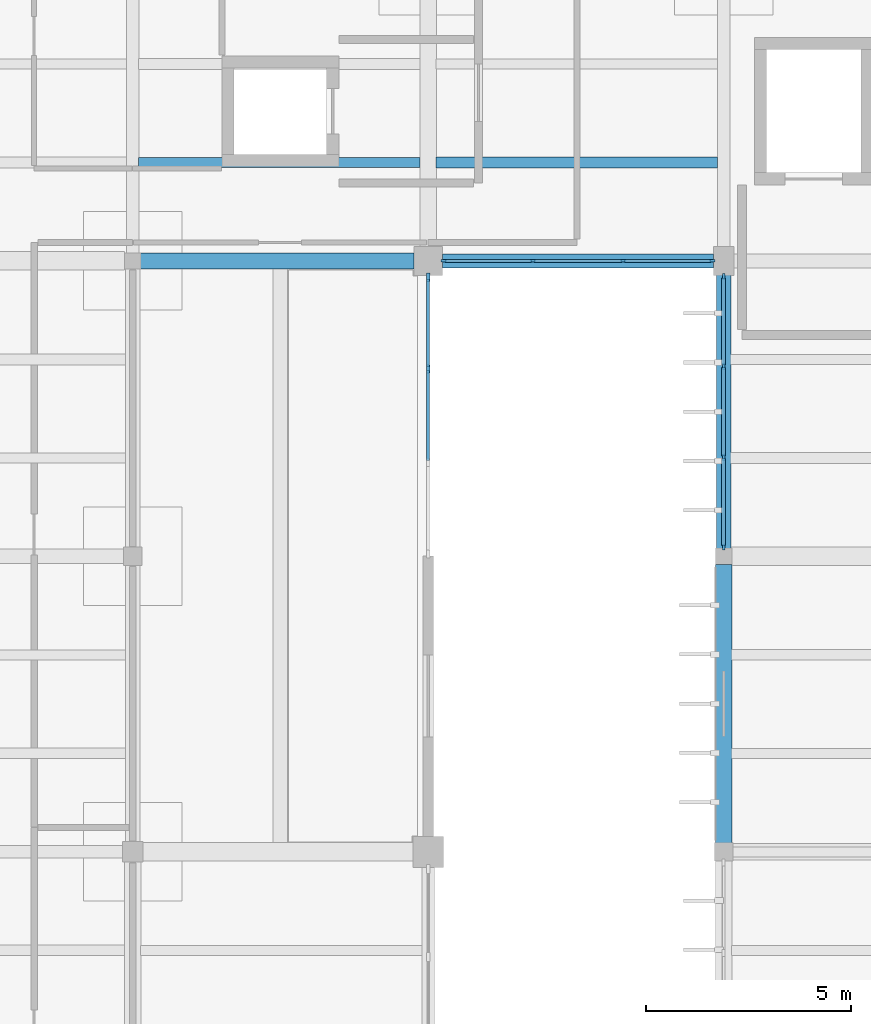
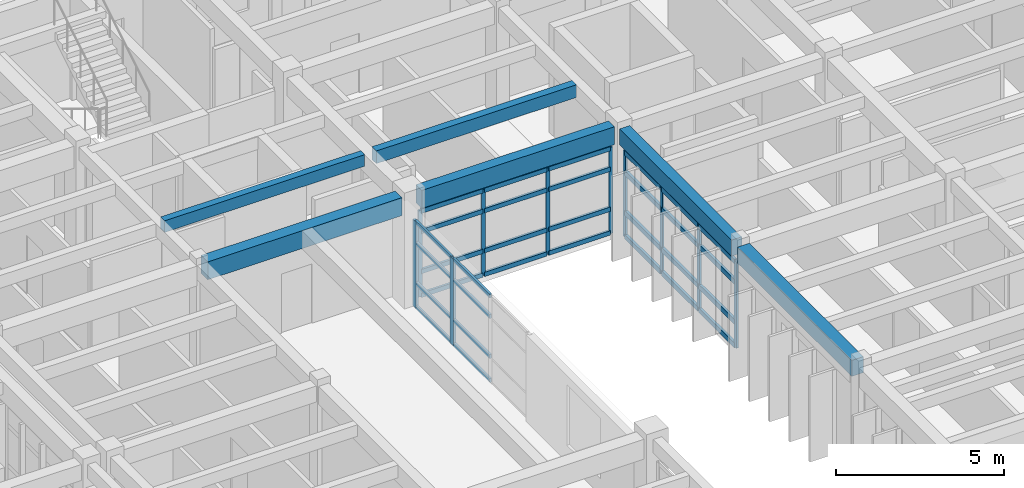
# One storey, part 21 of 100: 42 members, 6 beams, 3 elements without a shape of their own.
"""IFC4 building model written with IfcOpenShell, lengths in metres."""

from ifc_helpers import new_model, si_unit, direction, frame, origin, origin_2d, place, context, subcontext, project, spatial, rectangle, extrude, material, material_profile, profile_set, type_object, element, aggregate, save


model = new_model("IFC4")

# Units and contexts
model_context = context("Model", 3, precision=1e-05, world=origin(), true_north=direction((0.0, 1.0)))
body_context = subcontext(model_context, "Body", "Model", "MODEL_VIEW")
ifc_project = project(units=[si_unit("LENGTHUNIT", "METRE"), si_unit("AREAUNIT", "SQUARE_METRE"), si_unit("VOLUMEUNIT", "CUBIC_METRE"), si_unit("PLANEANGLEUNIT", "RADIAN"), si_unit("MASSUNIT", "GRAM", prefix="KILO")], contexts=[model_context])

# Site, building, storey
site_placement = place(None, origin())
site = spatial("IfcSite", under=ifc_project, at=site_placement, CompositionType="ELEMENT")
building_placement = place(site_placement, origin())
building = spatial("IfcBuilding", under=site, at=building_placement, Name="Steenspoor Specialist Clinic", CompositionType="ELEMENT")
storey_placement = place(building_placement, frame((0.0, 0.0, 9.0)))
storey = spatial("IfcBuildingStorey", under=building, at=storey_placement, Name="L02", CompositionType="ELEMENT", Elevation=9.0)

# Beams
ifc_material_1 = material(Name="Concrete C35/45", Category="concrete")
ifc_material_profile_1 = material_profile(ifc_material_1, rectangle(XDim=0.35009765625, YDim=0.580078125, at=origin_2d()), Name="RC-BM-350X580")
ifc_profile_set_1 = profile_set([ifc_material_profile_1], Name="Concrete C35/45")
beam_type_1 = type_object("IfcBeamType", Name="BM-RC-350X580", PredefinedType="BEAM", material=ifc_profile_set_1)
beam_1_placement = place(storey_placement, frame((74.0, 86.945068359375, 3.659912109375), z_axis=(0.0, 1.0, 0.0), x_axis=(-1.0, 0.0, 0.0)))
element("IfcBeam", 1, at=beam_1_placement, inside=storey, type_object=beam_type_1, Name="BM-V4-L02-Y0703", PredefinedType="BEAM", context=body_context, shape_type="SweptSolid", body=[
    extrude(rectangle(XDim=0.35009765625, YDim=0.580078125, at=origin_2d()), origin(), (0.0, 0.0, 1.0), 6.659912109375),
])
ifc_material_profile_2 = material_profile(ifc_material_1, rectangle(XDim=0.35009765625, YDim=0.64990234375, at=origin_2d()), Name="RC-BM-350X650")
ifc_profile_set_2 = profile_set([ifc_material_profile_2], Name="Concrete C35/45")
beam_type_2 = type_object("IfcBeamType", Name="BM-RC-350X650", PredefinedType="BEAM", material=ifc_profile_set_2)
beam_2_placement = place(storey_placement, frame((67.14501953125, 93.949951171875, 3.625), z_axis=(1.0, 0.0, 0.0), x_axis=(0.0, 1.0, 0.0)))
element("IfcBeam", 2, at=beam_2_placement, inside=storey, type_object=beam_type_2, Name="BM-V4-L02-X0663", PredefinedType="BEAM", context=body_context, shape_type="SweptSolid", body=[
    extrude(rectangle(XDim=0.35009765625, YDim=0.64990234375, at=origin_2d()), origin(), (0.0, 0.0, 1.0), 6.60986328125),
])
ifc_material_profile_3 = material_profile(ifc_material_1, rectangle(XDim=0.39990234375, YDim=0.580078125, at=origin_2d()), Name="RC-BM-400X580")
ifc_profile_set_3 = profile_set([ifc_material_profile_3], Name="Concrete C35/45")
beam_type_3 = type_object("IfcBeamType", Name="BM-RC-400X580", PredefinedType="BEAM", material=ifc_profile_set_3)
beam_3_placement = place(storey_placement, frame((74.0, 79.77001953125, 3.659912109375), z_axis=(0.0, 1.0, 0.0), x_axis=(-1.0, 0.0, 0.0)))
element("IfcBeam", 3, at=beam_3_placement, inside=storey, type_object=beam_type_3, Name="BM-V4-L02-Y0702", PredefinedType="BEAM", context=body_context, shape_type="SweptSolid", body=[
    extrude(rectangle(XDim=0.39990234375, YDim=0.580078125, at=origin_2d()), origin(), (0.0, 0.0, 1.0), 6.784912109375),
])
ifc_material_profile_4 = material_profile(ifc_material_1, rectangle(XDim=0.39990234375, YDim=0.64990234375, at=origin_2d()), Name="RC-BM-400X650")
ifc_profile_set_4 = profile_set([ifc_material_profile_4], Name="Concrete C35/45")
beam_type_4 = type_object("IfcBeamType", Name="BM-RC-400X650", PredefinedType="BEAM", material=ifc_profile_set_4)
beam_4_placement = place(storey_placement, frame((59.794921875, 93.949951171875, 3.625), z_axis=(1.0, 0.0, 0.0), x_axis=(0.0, 1.0, 0.0)))
element("IfcBeam", 4, at=beam_4_placement, inside=storey, type_object=beam_type_4, Name="BM-V4-L02-X0662", PredefinedType="BEAM", context=body_context, shape_type="SweptSolid", body=[
    extrude(rectangle(XDim=0.39990234375, YDim=0.64990234375, at=origin_2d()), origin(), (0.0, 0.0, 1.0), 6.66015625),
])

# Curtain wall, members
ifc_material_2 = material(Name="Thermally broken aluminium and low-emissivity glass", Category="aluminium")
curtain_wall_type_1 = type_object("IfcCurtainWallType", Name="CW-L00-660X415", PredefinedType="USERDEFINED", material=ifc_material_2)
curtain_wall_1_placement = place(storey_placement, origin())
curtain_wall_1 = element("IfcCurtainWall", 5, at=curtain_wall_1_placement, inside=storey, type_object=curtain_wall_type_1, Name="Unitised Curtain Wall CW-V4-L02-100", ObjectType="UNITISED GLAZING", PredefinedType="USERDEFINED")
ifc_material_3 = material(Name="Thermally broken aluminium 6063-T6", Category="aluminium")
ifc_material_profile_5 = material_profile(ifc_material_3, rectangle(XDim=0.06005859375, YDim=0.135009765625, at=origin_2d()), Name="CWM-60X135")
ifc_profile_set_5 = profile_set([ifc_material_profile_5], Name="Thermally broken aluminium 6063-T6")
member_type_1 = type_object("IfcMemberType", Name="CW-MULL-60X135", PredefinedType="MULLION", material=ifc_profile_set_5)
member_1_placement = place(storey_placement, frame((73.719970703125, 93.949951171875, 0.0), z_axis=(0.0, 0.0, 1.0), x_axis=(0.0, -1.0, 0.0)))
member_1 = element("IfcMember", 6, at=member_1_placement, type_object=member_type_1, Name="CW-04 mullion 1", PredefinedType="MULLION", context=body_context, shape_type="SweptSolid", body=[
    extrude(rectangle(XDim=0.06005859375, YDim=0.135009765625, at=origin_2d()), origin(), (0.0, 0.0, 1.0), 3.1298828125),
])
member_2_placement = place(storey_placement, frame((71.550048828125, 93.949951171875, 0.0), z_axis=(0.0, 0.0, 1.0), x_axis=(0.0, -1.0, 0.0)))
member_2 = element("IfcMember", 7, at=member_2_placement, type_object=member_type_1, Name="CW-04 mullion 2", PredefinedType="MULLION", context=body_context, shape_type="SweptSolid", body=[
    extrude(rectangle(XDim=0.06005859375, YDim=0.135009765625, at=origin_2d()), origin(), (0.0, 0.0, 1.0), 3.1298828125),
])
member_3_placement = place(storey_placement, frame((69.35009765625, 93.949951171875, 0.0), z_axis=(0.0, 0.0, 1.0), x_axis=(0.0, -1.0, 0.0)))
member_3 = element("IfcMember", 8, at=member_3_placement, type_object=member_type_1, Name="CW-04 mullion 3", PredefinedType="MULLION", context=body_context, shape_type="SweptSolid", body=[
    extrude(rectangle(XDim=0.06005859375, YDim=0.135009765625, at=origin_2d()), origin(), (0.0, 0.0, 1.0), 3.1298828125),
])
member_4_placement = place(storey_placement, frame((67.179931640625, 93.949951171875, 0.0), z_axis=(0.0, 0.0, 1.0), x_axis=(0.0, -1.0, 0.0)))
member_4 = element("IfcMember", 9, at=member_4_placement, type_object=member_type_1, Name="CW-04 mullion 4", PredefinedType="MULLION", context=body_context, shape_type="SweptSolid", body=[
    extrude(rectangle(XDim=0.06005859375, YDim=0.135009765625, at=origin_2d()), origin(), (0.0, 0.0, 1.0), 3.1298828125),
])

curtain_wall_type_2 = type_object("IfcCurtainWallType", Name="CW-HALL-480X820", PredefinedType="USERDEFINED", material=ifc_material_2)
curtain_wall_2_placement = place(storey_placement, origin())
curtain_wall_2 = element("IfcCurtainWall", 10, at=curtain_wall_2_placement, inside=storey, type_object=curtain_wall_type_2, Name="Unitised Curtain Wall CW-V4-L02-099", ObjectType="UNITISED GLAZING", PredefinedType="USERDEFINED")
ifc_material_profile_6 = material_profile(ifc_material_3, rectangle(XDim=0.06494140625, YDim=0.14990234375, at=origin_2d()), Name="CWM-65X150")
ifc_profile_set_6 = profile_set([ifc_material_profile_6], Name="Thermally broken aluminium 6063-T6")
member_type_2 = type_object("IfcMemberType", Name="CW-MULL-65X150", PredefinedType="MULLION", material=ifc_profile_set_6)
member_5_placement = place(storey_placement, frame((74.0, 86.982421875, 0.0), z_axis=(0.0, 0.0, 1.0), x_axis=(-1.0, 0.0, 0.0)))
member_5 = element("IfcMember", 11, at=member_5_placement, type_object=member_type_2, Name="CW-03 mullion 1", PredefinedType="MULLION", context=body_context, shape_type="SweptSolid", body=[
    extrude(rectangle(XDim=0.06494140625, YDim=0.14990234375, at=origin_2d()), origin(), (0.0, 0.0, 1.0), 3.1298828125),
])
member_6_placement = place(storey_placement, frame((74.0, 89.166748046875, 0.0), z_axis=(0.0, 0.0, 1.0), x_axis=(-1.0, 0.0, 0.0)))
member_6 = element("IfcMember", 12, at=member_6_placement, type_object=member_type_2, Name="CW-03 mullion 2", PredefinedType="MULLION", context=body_context, shape_type="SweptSolid", body=[
    extrude(rectangle(XDim=0.06494140625, YDim=0.14990234375, at=origin_2d()), origin(), (0.0, 0.0, 1.0), 3.1298828125),
])
member_7_placement = place(storey_placement, frame((74.0, 91.38330078125, 0.0), z_axis=(0.0, 0.0, 1.0), x_axis=(-1.0, 0.0, 0.0)))
member_7 = element("IfcMember", 13, at=member_7_placement, type_object=member_type_2, Name="CW-03 mullion 3", PredefinedType="MULLION", context=body_context, shape_type="SweptSolid", body=[
    extrude(rectangle(XDim=0.06494140625, YDim=0.14990234375, at=origin_2d()), origin(), (0.0, 0.0, 1.0), 3.1298828125),
])
member_8_placement = place(storey_placement, frame((74.0, 93.5673828125, 0.0), z_axis=(0.0, 0.0, 1.0), x_axis=(-1.0, 0.0, 0.0)))
member_8 = element("IfcMember", 14, at=member_8_placement, type_object=member_type_2, Name="CW-03 mullion 4", PredefinedType="MULLION", context=body_context, shape_type="SweptSolid", body=[
    extrude(rectangle(XDim=0.06494140625, YDim=0.14990234375, at=origin_2d()), origin(), (0.0, 0.0, 1.0), 3.1298828125),
])

curtain_wall_type_3 = type_object("IfcCurtainWallType", Name="CW-L00-650X415", PredefinedType="USERDEFINED", material=ifc_material_2)
curtain_wall_3_placement = place(storey_placement, origin())
curtain_wall_3 = element("IfcCurtainWall", 15, at=curtain_wall_3_placement, inside=storey, type_object=curtain_wall_type_3, Name="Unitised Curtain Wall CW-V4-L02-101", ObjectType="UNITISED GLAZING", PredefinedType="USERDEFINED")
ifc_material_profile_7 = material_profile(ifc_material_3, rectangle(XDim=0.090087890625, YDim=0.199951171875, at=origin_2d()), Name="CWM-90X200")
ifc_profile_set_7 = profile_set([ifc_material_profile_7], Name="Thermally broken aluminium 6063-T6")
member_type_3 = type_object("IfcMemberType", Name="CW-MULL-90X200", PredefinedType="MULLION", material=ifc_profile_set_7)
member_9_placement = place(storey_placement, frame((66.800048828125, 93.554931640625, 0.0), z_axis=(0.0, 0.0, 1.0), x_axis=(1.0, 0.0, 0.0)))
member_9 = element("IfcMember", 16, at=member_9_placement, type_object=member_type_3, Name="CW-05 mullion 1", PredefinedType="MULLION", context=body_context, shape_type="SweptSolid", body=[
    extrude(rectangle(XDim=0.090087890625, YDim=0.199951171875, at=origin_2d()), origin(), (0.0, 0.0, 1.0), 3.1298828125),
])
member_10_placement = place(storey_placement, frame((66.800048828125, 91.32080078125, 0.0), z_axis=(0.0, 0.0, 1.0), x_axis=(1.0, 0.0, 0.0)))
member_10 = element("IfcMember", 17, at=member_10_placement, type_object=member_type_3, Name="CW-05 mullion 2", PredefinedType="MULLION", context=body_context, shape_type="SweptSolid", body=[
    extrude(rectangle(XDim=0.090087890625, YDim=0.199951171875, at=origin_2d()), origin(), (0.0, 0.0, 1.0), 3.1298828125),
])
ifc_material_profile_8 = material_profile(ifc_material_3, rectangle(XDim=0.070068359375, YDim=0.14501953125, at=origin_2d()), Name="CWT-70X145")
ifc_profile_set_8 = profile_set([ifc_material_profile_8], Name="Thermally broken aluminium 6063-T6")
member_type_4 = type_object("IfcMemberType", Name="CW-TRAN-70X145", PredefinedType="USERDEFINED", material=ifc_profile_set_8)
member_11_placement = place(storey_placement, frame((66.800048828125, 93.510009765625, 0.034912109375), z_axis=(0.0, -1.0, 0.0), x_axis=(1.0, 0.0, 0.0)))
member_11 = element("IfcMember", 18, at=member_11_placement, type_object=member_type_4, Name="CW-05 transom 1.1", ObjectType="TRANSOM", PredefinedType="USERDEFINED", context=body_context, shape_type="SweptSolid", body=[
    extrude(rectangle(XDim=0.070068359375, YDim=0.14501953125, at=origin_2d()), origin(), (0.0, 0.0, 1.0), 2.144287109375),
])
member_12_placement = place(storey_placement, frame((66.800048828125, 93.510009765625, 0.89990234375), z_axis=(0.0, -1.0, 0.0), x_axis=(1.0, 0.0, 0.0)))
member_12 = element("IfcMember", 19, at=member_12_placement, type_object=member_type_4, Name="CW-05 transom 1.2", ObjectType="TRANSOM", PredefinedType="USERDEFINED", context=body_context, shape_type="SweptSolid", body=[
    extrude(rectangle(XDim=0.070068359375, YDim=0.14501953125, at=origin_2d()), origin(), (0.0, 0.0, 1.0), 2.144287109375),
])
member_13_placement = place(storey_placement, frame((66.800048828125, 93.510009765625, 2.35009765625), z_axis=(0.0, -1.0, 0.0), x_axis=(1.0, 0.0, 0.0)))
member_13 = element("IfcMember", 20, at=member_13_placement, type_object=member_type_4, Name="CW-05 transom 1.3", ObjectType="TRANSOM", PredefinedType="USERDEFINED", context=body_context, shape_type="SweptSolid", body=[
    extrude(rectangle(XDim=0.070068359375, YDim=0.14501953125, at=origin_2d()), origin(), (0.0, 0.0, 1.0), 2.144287109375),
])
member_14_placement = place(storey_placement, frame((66.800048828125, 93.510009765625, 3.094970703125), z_axis=(0.0, -1.0, 0.0), x_axis=(1.0, 0.0, 0.0)))
member_14 = element("IfcMember", 21, at=member_14_placement, type_object=member_type_4, Name="CW-05 transom 1.4", ObjectType="TRANSOM", PredefinedType="USERDEFINED", context=body_context, shape_type="SweptSolid", body=[
    extrude(rectangle(XDim=0.070068359375, YDim=0.14501953125, at=origin_2d()), origin(), (0.0, 0.0, 1.0), 2.144287109375),
])
member_15_placement = place(storey_placement, frame((66.800048828125, 91.27587890625, 0.034912109375), z_axis=(0.0, -1.0, 0.0), x_axis=(1.0, 0.0, 0.0)))
member_15 = element("IfcMember", 22, at=member_15_placement, type_object=member_type_4, Name="CW-05 transom 2.1", ObjectType="TRANSOM", PredefinedType="USERDEFINED", context=body_context, shape_type="SweptSolid", body=[
    extrude(rectangle(XDim=0.070068359375, YDim=0.14501953125, at=origin_2d()), origin(), (0.0, 0.0, 1.0), 2.189208984375),
])
member_16_placement = place(storey_placement, frame((66.800048828125, 91.27587890625, 0.89990234375), z_axis=(0.0, -1.0, 0.0), x_axis=(1.0, 0.0, 0.0)))
member_16 = element("IfcMember", 23, at=member_16_placement, type_object=member_type_4, Name="CW-05 transom 2.2", ObjectType="TRANSOM", PredefinedType="USERDEFINED", context=body_context, shape_type="SweptSolid", body=[
    extrude(rectangle(XDim=0.070068359375, YDim=0.14501953125, at=origin_2d()), origin(), (0.0, 0.0, 1.0), 2.189208984375),
])
member_17_placement = place(storey_placement, frame((66.800048828125, 91.27587890625, 2.35009765625), z_axis=(0.0, -1.0, 0.0), x_axis=(1.0, 0.0, 0.0)))
member_17 = element("IfcMember", 24, at=member_17_placement, type_object=member_type_4, Name="CW-05 transom 2.3", ObjectType="TRANSOM", PredefinedType="USERDEFINED", context=body_context, shape_type="SweptSolid", body=[
    extrude(rectangle(XDim=0.070068359375, YDim=0.14501953125, at=origin_2d()), origin(), (0.0, 0.0, 1.0), 2.189208984375),
])
member_18_placement = place(storey_placement, frame((66.800048828125, 91.27587890625, 3.094970703125), z_axis=(0.0, -1.0, 0.0), x_axis=(1.0, 0.0, 0.0)))
member_18 = element("IfcMember", 25, at=member_18_placement, type_object=member_type_4, Name="CW-05 transom 2.4", ObjectType="TRANSOM", PredefinedType="USERDEFINED", context=body_context, shape_type="SweptSolid", body=[
    extrude(rectangle(XDim=0.070068359375, YDim=0.14501953125, at=origin_2d()), origin(), (0.0, 0.0, 1.0), 2.189208984375),
])
aggregate(curtain_wall_3, [member_9, member_10, member_11, member_12, member_13, member_14, member_15, member_16, member_17, member_18])

# Member
ifc_material_profile_9 = material_profile(ifc_material_3, rectangle(XDim=0.080078125, YDim=0.159912109375, at=origin_2d()), Name="CWT-80X160")
ifc_profile_set_9 = profile_set([ifc_material_profile_9], Name="Thermally broken aluminium 6063-T6")
member_type_5 = type_object("IfcMemberType", Name="CW-TRAN-80X160", PredefinedType="USERDEFINED", material=ifc_profile_set_9)
member_19_placement = place(storey_placement, frame((73.68994140625, 93.949951171875, 0.0400390625), z_axis=(-1.0, 0.0, 0.0), x_axis=(0.0, -1.0, 0.0)))
member_19 = element("IfcMember", 26, at=member_19_placement, type_object=member_type_5, Name="CW-04 transom 1.1", ObjectType="TRANSOM", PredefinedType="USERDEFINED", context=body_context, shape_type="SweptSolid", body=[
    extrude(rectangle(XDim=0.080078125, YDim=0.159912109375, at=origin_2d()), origin(), (0.0, 0.0, 1.0), 2.10986328125),
])

member_20_placement = place(storey_placement, frame((73.68994140625, 93.949951171875, 0.89990234375), z_axis=(-1.0, 0.0, 0.0), x_axis=(0.0, -1.0, 0.0)))
member_20 = element("IfcMember", 27, at=member_20_placement, type_object=member_type_5, Name="CW-04 transom 1.2", ObjectType="TRANSOM", PredefinedType="USERDEFINED", context=body_context, shape_type="SweptSolid", body=[
    extrude(rectangle(XDim=0.080078125, YDim=0.159912109375, at=origin_2d()), origin(), (0.0, 0.0, 1.0), 2.10986328125),
])

member_21_placement = place(storey_placement, frame((73.68994140625, 93.949951171875, 2.35009765625), z_axis=(-1.0, 0.0, 0.0), x_axis=(0.0, -1.0, 0.0)))
member_21 = element("IfcMember", 28, at=member_21_placement, type_object=member_type_5, Name="CW-04 transom 1.3", ObjectType="TRANSOM", PredefinedType="USERDEFINED", context=body_context, shape_type="SweptSolid", body=[
    extrude(rectangle(XDim=0.080078125, YDim=0.159912109375, at=origin_2d()), origin(), (0.0, 0.0, 1.0), 2.10986328125),
])

member_22_placement = place(storey_placement, frame((73.68994140625, 93.949951171875, 3.090087890625), z_axis=(-1.0, 0.0, 0.0), x_axis=(0.0, -1.0, 0.0)))
member_22 = element("IfcMember", 29, at=member_22_placement, type_object=member_type_5, Name="CW-04 transom 1.4", ObjectType="TRANSOM", PredefinedType="USERDEFINED", context=body_context, shape_type="SweptSolid", body=[
    extrude(rectangle(XDim=0.080078125, YDim=0.159912109375, at=origin_2d()), origin(), (0.0, 0.0, 1.0), 2.10986328125),
])

member_23_placement = place(storey_placement, frame((71.52001953125, 93.949951171875, 0.0400390625), z_axis=(-1.0, 0.0, 0.0), x_axis=(0.0, -1.0, 0.0)))
member_23 = element("IfcMember", 30, at=member_23_placement, type_object=member_type_5, Name="CW-04 transom 2.1", ObjectType="TRANSOM", PredefinedType="USERDEFINED", context=body_context, shape_type="SweptSolid", body=[
    extrude(rectangle(XDim=0.080078125, YDim=0.159912109375, at=origin_2d()), origin(), (0.0, 0.0, 1.0), 2.14013671875),
])

member_24_placement = place(storey_placement, frame((71.52001953125, 93.949951171875, 0.89990234375), z_axis=(-1.0, 0.0, 0.0), x_axis=(0.0, -1.0, 0.0)))
member_24 = element("IfcMember", 31, at=member_24_placement, type_object=member_type_5, Name="CW-04 transom 2.2", ObjectType="TRANSOM", PredefinedType="USERDEFINED", context=body_context, shape_type="SweptSolid", body=[
    extrude(rectangle(XDim=0.080078125, YDim=0.159912109375, at=origin_2d()), origin(), (0.0, 0.0, 1.0), 2.14013671875),
])

member_25_placement = place(storey_placement, frame((71.52001953125, 93.949951171875, 2.35009765625), z_axis=(-1.0, 0.0, 0.0), x_axis=(0.0, -1.0, 0.0)))
member_25 = element("IfcMember", 32, at=member_25_placement, type_object=member_type_5, Name="CW-04 transom 2.3", ObjectType="TRANSOM", PredefinedType="USERDEFINED", context=body_context, shape_type="SweptSolid", body=[
    extrude(rectangle(XDim=0.080078125, YDim=0.159912109375, at=origin_2d()), origin(), (0.0, 0.0, 1.0), 2.14013671875),
])

member_26_placement = place(storey_placement, frame((71.52001953125, 93.949951171875, 3.090087890625), z_axis=(-1.0, 0.0, 0.0), x_axis=(0.0, -1.0, 0.0)))
member_26 = element("IfcMember", 33, at=member_26_placement, type_object=member_type_5, Name="CW-04 transom 2.4", ObjectType="TRANSOM", PredefinedType="USERDEFINED", context=body_context, shape_type="SweptSolid", body=[
    extrude(rectangle(XDim=0.080078125, YDim=0.159912109375, at=origin_2d()), origin(), (0.0, 0.0, 1.0), 2.14013671875),
])

member_27_placement = place(storey_placement, frame((69.320068359375, 93.949951171875, 0.0400390625), z_axis=(-1.0, 0.0, 0.0), x_axis=(0.0, -1.0, 0.0)))
member_27 = element("IfcMember", 34, at=member_27_placement, type_object=member_type_5, Name="CW-04 transom 3.1", ObjectType="TRANSOM", PredefinedType="USERDEFINED", context=body_context, shape_type="SweptSolid", body=[
    extrude(rectangle(XDim=0.080078125, YDim=0.159912109375, at=origin_2d()), origin(), (0.0, 0.0, 1.0), 2.110107421875),
])

member_28_placement = place(storey_placement, frame((69.320068359375, 93.949951171875, 0.89990234375), z_axis=(-1.0, 0.0, 0.0), x_axis=(0.0, -1.0, 0.0)))
member_28 = element("IfcMember", 35, at=member_28_placement, type_object=member_type_5, Name="CW-04 transom 3.2", ObjectType="TRANSOM", PredefinedType="USERDEFINED", context=body_context, shape_type="SweptSolid", body=[
    extrude(rectangle(XDim=0.080078125, YDim=0.159912109375, at=origin_2d()), origin(), (0.0, 0.0, 1.0), 2.110107421875),
])

member_29_placement = place(storey_placement, frame((69.320068359375, 93.949951171875, 2.35009765625), z_axis=(-1.0, 0.0, 0.0), x_axis=(0.0, -1.0, 0.0)))
member_29 = element("IfcMember", 36, at=member_29_placement, type_object=member_type_5, Name="CW-04 transom 3.3", ObjectType="TRANSOM", PredefinedType="USERDEFINED", context=body_context, shape_type="SweptSolid", body=[
    extrude(rectangle(XDim=0.080078125, YDim=0.159912109375, at=origin_2d()), origin(), (0.0, 0.0, 1.0), 2.110107421875),
])

member_30_placement = place(storey_placement, frame((69.320068359375, 93.949951171875, 3.090087890625), z_axis=(-1.0, 0.0, 0.0), x_axis=(0.0, -1.0, 0.0)))
member_30 = element("IfcMember", 37, at=member_30_placement, type_object=member_type_5, Name="CW-04 transom 3.4", ObjectType="TRANSOM", PredefinedType="USERDEFINED", context=body_context, shape_type="SweptSolid", body=[
    extrude(rectangle(XDim=0.080078125, YDim=0.159912109375, at=origin_2d()), origin(), (0.0, 0.0, 1.0), 2.110107421875),
])

aggregate(curtain_wall_1, [member_1, member_2, member_3, member_4, member_19, member_20, member_21, member_22, member_23, member_24, member_25, member_26, member_27, member_28, member_29, member_30])

ifc_material_profile_10 = material_profile(ifc_material_3, rectangle(XDim=0.090087890625, YDim=0.175048828125, at=origin_2d()), Name="CWT-90X175")
ifc_profile_set_10 = profile_set([ifc_material_profile_10], Name="Thermally broken aluminium 6063-T6")
member_type_6 = type_object("IfcMemberType", Name="CW-TRAN-90X175", PredefinedType="USERDEFINED", material=ifc_profile_set_10)
member_31_placement = place(storey_placement, frame((74.0, 87.014892578125, 0.044921875), z_axis=(0.0, 1.0, 0.0), x_axis=(-1.0, 0.0, 0.0)))
member_31 = element("IfcMember", 38, at=member_31_placement, type_object=member_type_6, Name="CW-03 transom 1.1", ObjectType="TRANSOM", PredefinedType="USERDEFINED", context=body_context, shape_type="SweptSolid", body=[
    extrude(rectangle(XDim=0.090087890625, YDim=0.175048828125, at=origin_2d()), origin(), (0.0, 0.0, 1.0), 2.119384765625),
])

member_32_placement = place(storey_placement, frame((74.0, 87.014892578125, 0.89990234375), z_axis=(0.0, 1.0, 0.0), x_axis=(-1.0, 0.0, 0.0)))
member_32 = element("IfcMember", 39, at=member_32_placement, type_object=member_type_6, Name="CW-03 transom 1.2", ObjectType="TRANSOM", PredefinedType="USERDEFINED", context=body_context, shape_type="SweptSolid", body=[
    extrude(rectangle(XDim=0.090087890625, YDim=0.175048828125, at=origin_2d()), origin(), (0.0, 0.0, 1.0), 2.119384765625),
])

member_33_placement = place(storey_placement, frame((74.0, 87.014892578125, 2.35009765625), z_axis=(0.0, 1.0, 0.0), x_axis=(-1.0, 0.0, 0.0)))
member_33 = element("IfcMember", 40, at=member_33_placement, type_object=member_type_6, Name="CW-03 transom 1.3", ObjectType="TRANSOM", PredefinedType="USERDEFINED", context=body_context, shape_type="SweptSolid", body=[
    extrude(rectangle(XDim=0.090087890625, YDim=0.175048828125, at=origin_2d()), origin(), (0.0, 0.0, 1.0), 2.119384765625),
])

member_34_placement = place(storey_placement, frame((74.0, 87.014892578125, 3.0849609375), z_axis=(0.0, 1.0, 0.0), x_axis=(-1.0, 0.0, 0.0)))
member_34 = element("IfcMember", 41, at=member_34_placement, type_object=member_type_6, Name="CW-03 transom 1.4", ObjectType="TRANSOM", PredefinedType="USERDEFINED", context=body_context, shape_type="SweptSolid", body=[
    extrude(rectangle(XDim=0.090087890625, YDim=0.175048828125, at=origin_2d()), origin(), (0.0, 0.0, 1.0), 2.119384765625),
])

member_35_placement = place(storey_placement, frame((74.0, 89.19921875, 0.044921875), z_axis=(0.0, 1.0, 0.0), x_axis=(-1.0, 0.0, 0.0)))
member_35 = element("IfcMember", 42, at=member_35_placement, type_object=member_type_6, Name="CW-03 transom 2.1", ObjectType="TRANSOM", PredefinedType="USERDEFINED", context=body_context, shape_type="SweptSolid", body=[
    extrude(rectangle(XDim=0.090087890625, YDim=0.175048828125, at=origin_2d()), origin(), (0.0, 0.0, 1.0), 2.151611328125),
])

member_36_placement = place(storey_placement, frame((74.0, 89.19921875, 0.89990234375), z_axis=(0.0, 1.0, 0.0), x_axis=(-1.0, 0.0, 0.0)))
member_36 = element("IfcMember", 43, at=member_36_placement, type_object=member_type_6, Name="CW-03 transom 2.2", ObjectType="TRANSOM", PredefinedType="USERDEFINED", context=body_context, shape_type="SweptSolid", body=[
    extrude(rectangle(XDim=0.090087890625, YDim=0.175048828125, at=origin_2d()), origin(), (0.0, 0.0, 1.0), 2.151611328125),
])

member_37_placement = place(storey_placement, frame((74.0, 89.19921875, 2.35009765625), z_axis=(0.0, 1.0, 0.0), x_axis=(-1.0, 0.0, 0.0)))
member_37 = element("IfcMember", 44, at=member_37_placement, type_object=member_type_6, Name="CW-03 transom 2.3", ObjectType="TRANSOM", PredefinedType="USERDEFINED", context=body_context, shape_type="SweptSolid", body=[
    extrude(rectangle(XDim=0.090087890625, YDim=0.175048828125, at=origin_2d()), origin(), (0.0, 0.0, 1.0), 2.151611328125),
])

member_38_placement = place(storey_placement, frame((74.0, 89.19921875, 3.0849609375), z_axis=(0.0, 1.0, 0.0), x_axis=(-1.0, 0.0, 0.0)))
member_38 = element("IfcMember", 45, at=member_38_placement, type_object=member_type_6, Name="CW-03 transom 2.4", ObjectType="TRANSOM", PredefinedType="USERDEFINED", context=body_context, shape_type="SweptSolid", body=[
    extrude(rectangle(XDim=0.090087890625, YDim=0.175048828125, at=origin_2d()), origin(), (0.0, 0.0, 1.0), 2.151611328125),
])

member_39_placement = place(storey_placement, frame((74.0, 91.415771484375, 0.044921875), z_axis=(0.0, 1.0, 0.0), x_axis=(-1.0, 0.0, 0.0)))
member_39 = element("IfcMember", 46, at=member_39_placement, type_object=member_type_6, Name="CW-03 transom 3.1", ObjectType="TRANSOM", PredefinedType="USERDEFINED", context=body_context, shape_type="SweptSolid", body=[
    extrude(rectangle(XDim=0.090087890625, YDim=0.175048828125, at=origin_2d()), origin(), (0.0, 0.0, 1.0), 2.119140625),
])

member_40_placement = place(storey_placement, frame((74.0, 91.415771484375, 0.89990234375), z_axis=(0.0, 1.0, 0.0), x_axis=(-1.0, 0.0, 0.0)))
member_40 = element("IfcMember", 47, at=member_40_placement, type_object=member_type_6, Name="CW-03 transom 3.2", ObjectType="TRANSOM", PredefinedType="USERDEFINED", context=body_context, shape_type="SweptSolid", body=[
    extrude(rectangle(XDim=0.090087890625, YDim=0.175048828125, at=origin_2d()), origin(), (0.0, 0.0, 1.0), 2.119140625),
])

member_41_placement = place(storey_placement, frame((74.0, 91.415771484375, 2.35009765625), z_axis=(0.0, 1.0, 0.0), x_axis=(-1.0, 0.0, 0.0)))
member_41 = element("IfcMember", 48, at=member_41_placement, type_object=member_type_6, Name="CW-03 transom 3.3", ObjectType="TRANSOM", PredefinedType="USERDEFINED", context=body_context, shape_type="SweptSolid", body=[
    extrude(rectangle(XDim=0.090087890625, YDim=0.175048828125, at=origin_2d()), origin(), (0.0, 0.0, 1.0), 2.119140625),
])

member_42_placement = place(storey_placement, frame((74.0, 91.415771484375, 3.0849609375), z_axis=(0.0, 1.0, 0.0), x_axis=(-1.0, 0.0, 0.0)))
member_42 = element("IfcMember", 49, at=member_42_placement, type_object=member_type_6, Name="CW-03 transom 3.4", ObjectType="TRANSOM", PredefinedType="USERDEFINED", context=body_context, shape_type="SweptSolid", body=[
    extrude(rectangle(XDim=0.090087890625, YDim=0.175048828125, at=origin_2d()), origin(), (0.0, 0.0, 1.0), 2.119140625),
])

aggregate(curtain_wall_2, [member_5, member_6, member_7, member_8, member_31, member_32, member_33, member_34, member_35, member_36, member_37, member_38, member_39, member_40, member_41, member_42])

# Beams
ifc_material_profile_11 = material_profile(ifc_material_1, rectangle(XDim=0.239990234375, YDim=0.419921875, at=origin_2d()), Name="RC-JT-240X420")
ifc_profile_set_11 = profile_set([ifc_material_profile_11], Name="Concrete C35/45")
beam_type_5 = type_object("IfcBeamType", Name="JT-RC-240X420", PredefinedType="JOIST", material=ifc_profile_set_11)
beam_5_placement = place(storey_placement, frame((59.7451171875, 96.35009765625, 3.739990234375), z_axis=(1.0, 0.0, 0.0), x_axis=(0.0, 1.0, 0.0)))
element("IfcBeam", 50, at=beam_5_placement, inside=storey, type_object=beam_type_5, Name="JT-V4-L02-0754", PredefinedType="JOIST", context=body_context, shape_type="SweptSolid", body=[
    extrude(rectangle(XDim=0.239990234375, YDim=0.419921875, at=origin_2d()), origin(), (0.0, 0.0, 1.0), 6.85986328125),
])
ifc_material_profile_12 = material_profile(ifc_material_1, rectangle(XDim=0.260009765625, YDim=0.4599609375, at=origin_2d()), Name="RC-JT-260X460")
ifc_profile_set_12 = profile_set([ifc_material_profile_12], Name="Concrete C35/45")
beam_type_6 = type_object("IfcBeamType", Name="JT-RC-260X460", PredefinedType="JOIST", material=ifc_profile_set_12)
beam_6_placement = place(storey_placement, frame((66.9951171875, 96.35009765625, 3.719970703125), z_axis=(1.0, 0.0, 0.0), x_axis=(0.0, 1.0, 0.0)))
element("IfcBeam", 51, at=beam_6_placement, inside=storey, type_object=beam_type_6, Name="JT-V4-L02-0756", PredefinedType="JOIST", context=body_context, shape_type="SweptSolid", body=[
    extrude(rectangle(XDim=0.260009765625, YDim=0.4599609375, at=origin_2d()), origin(), (0.0, 0.0, 1.0), 6.85986328125),
])

save(model, "model.ifc")
